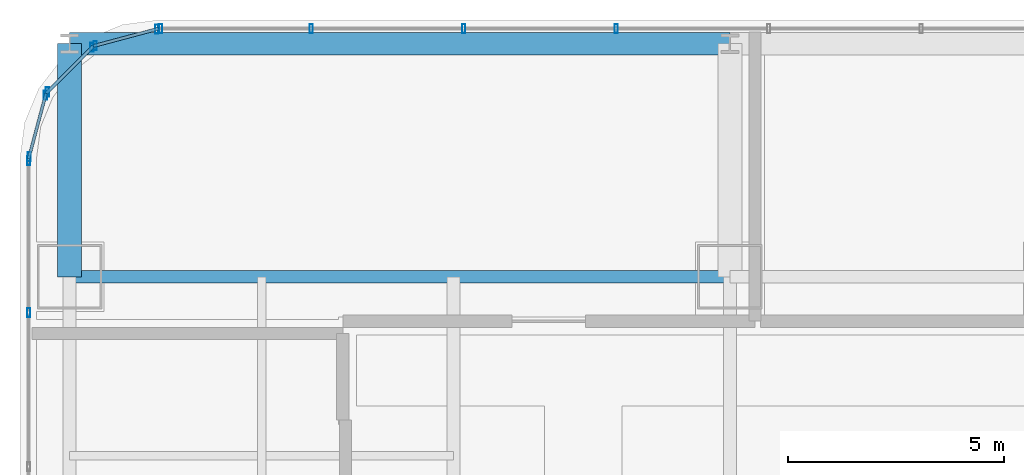
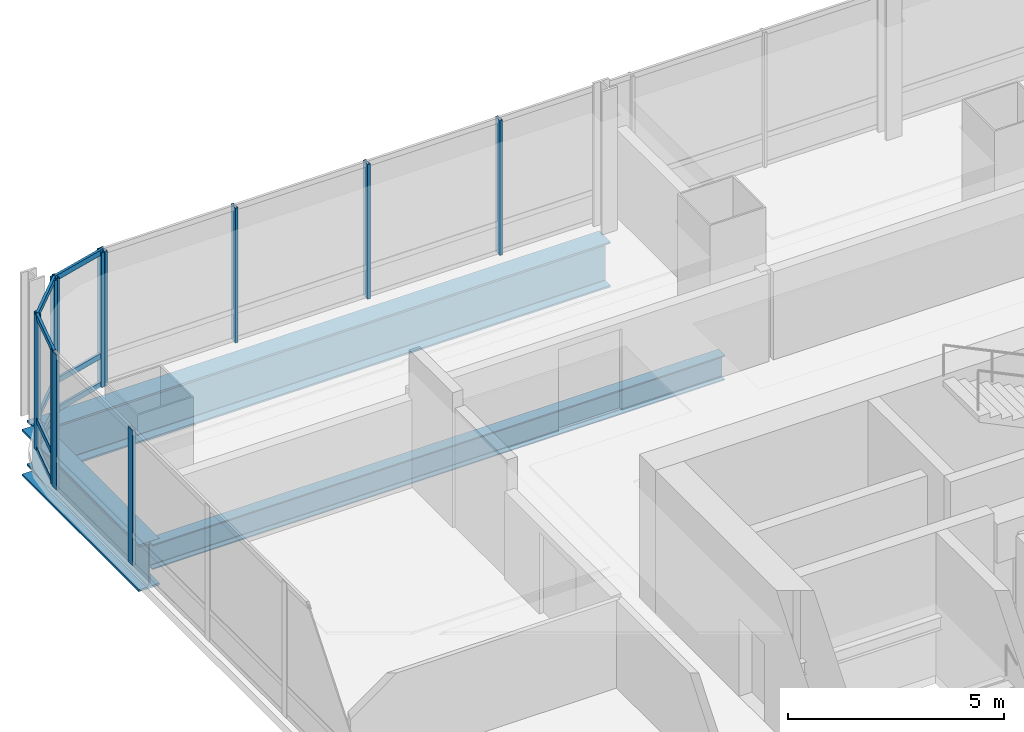
# One storey, part 19 of 34: 21 members, 3 beams, 5 elements without a shape of their own.
"""IFC4 building model written with IfcOpenShell, lengths in metres."""

from ifc_helpers import new_model, si_unit, direction, frame, origin, origin_2d, place, context, subcontext, project, spatial, hollow_rectangle, i_section, extrude, material, material_profile, profile_set, type_object, element, aggregate, save


model = new_model("IFC4")

# Units and contexts
model_context = context("Model", 3, precision=1e-05, world=origin(), true_north=direction((0.0, 1.0)))
body_context = subcontext(model_context, "Body", "Model", "MODEL_VIEW")
ifc_project = project(units=[si_unit("LENGTHUNIT", "METRE"), si_unit("AREAUNIT", "SQUARE_METRE"), si_unit("VOLUMEUNIT", "CUBIC_METRE"), si_unit("PLANEANGLEUNIT", "RADIAN"), si_unit("MASSUNIT", "GRAM", prefix="KILO")], contexts=[model_context])

# Site, building, storey
site_placement = place(None, origin())
site = spatial("IfcSite", under=ifc_project, at=site_placement, CompositionType="ELEMENT")
building_placement = place(site_placement, origin())
building = spatial("IfcBuilding", under=site, at=building_placement, Name="Punatoya Terracotta Tower", CompositionType="ELEMENT")
storey_placement = place(building_placement, frame((0.0, 0.0, 105.14990234375)))
storey = spatial("IfcBuildingStorey", under=building, at=storey_placement, Name="L24", CompositionType="ELEMENT", Elevation=105.14990234375)

# Beams
ifc_material_1 = material(Name="Steel S355", Category="steel")
ifc_material_profile_1 = material_profile(ifc_material_1, i_section(OverallWidth=0.300048828125, OverallDepth=0.699951171875, WebThickness=0.01708984375, FlangeThickness=0.031982421875, FilletRadius=0.01806640625, at=origin_2d()))
ifc_profile_set_1 = profile_set([ifc_material_profile_1], Name="Steel S355")
beam_type_1 = type_object("IfcBeamType", Name="BM-PRI-700", PredefinedType="BEAM", material=ifc_profile_set_1)
beam_1_placement = place(storey_placement, frame((-19.10009765625, 17.5, -0.58984375), z_axis=(1.0, 0.0, 0.0), x_axis=(0.0, 1.0, 0.0)))
element("IfcBeam", 1, at=beam_1_placement, inside=storey, type_object=beam_type_1, Name="BM-L24-RG-N1", PredefinedType="BEAM", context=body_context, shape_type="SweptSolid", body=[
    extrude(i_section(OverallWidth=0.300048828125, OverallDepth=0.699951171875, WebThickness=0.01708984375, FlangeThickness=0.031982421875, FilletRadius=0.01806640625, at=origin_2d()), origin(), (0.0, 0.0, 1.0), 15.300048828125),
])
ifc_material_2 = material(Name="Steel S460", Category="steel")
ifc_material_profile_2 = material_profile(ifc_material_2, i_section(OverallWidth=0.56005859375, OverallDepth=1.320068359375, WebThickness=0.035888671875, FlangeThickness=0.054931640625, FilletRadius=0.01806640625, at=origin_2d()))
ifc_profile_set_2 = profile_set([ifc_material_profile_2], Name="Steel S460")
beam_type_2 = type_object("IfcBeamType", Name="BM-TG-BLK", PredefinedType="BEAM", material=ifc_profile_set_2)
beam_2_placement = place(storey_placement, frame((-19.10009765625, 17.5, -0.89990234375), z_axis=(0.0, 1.0, 0.0), x_axis=(-1.0, 0.0, 0.0)))
element("IfcBeam", 2, at=beam_2_placement, inside=storey, type_object=beam_type_2, Name="BM-L24-CANT-N1", PredefinedType="BEAM", context=body_context, shape_type="SweptSolid", body=[
    extrude(i_section(OverallWidth=0.56005859375, OverallDepth=1.320068359375, WebThickness=0.035888671875, FlangeThickness=0.054931640625, FilletRadius=0.01806640625, at=origin_2d()), origin(), (0.0, 0.0, 1.0), 5.39990234375),
])
ifc_material_profile_3 = material_profile(ifc_material_2, i_section(OverallWidth=0.52001953125, OverallDepth=1.280029296875, WebThickness=0.031982421875, FlangeThickness=0.050048828125, FilletRadius=0.01806640625, at=origin_2d()))
ifc_profile_set_3 = profile_set([ifc_material_profile_3], Name="Steel S460")
beam_type_3 = type_object("IfcBeamType", Name="BM-TG-NCK", PredefinedType="BEAM", material=ifc_profile_set_3)
beam_3_placement = place(storey_placement, frame((-19.10009765625, 22.89990234375, -0.8798828125), z_axis=(1.0, 0.0, 0.0), x_axis=(0.0, 1.0, 0.0)))
element("IfcBeam", 3, at=beam_3_placement, inside=storey, type_object=beam_type_3, Name="BM-L24-PER-N1", PredefinedType="BEAM", context=body_context, shape_type="SweptSolid", body=[
    extrude(i_section(OverallWidth=0.52001953125, OverallDepth=1.280029296875, WebThickness=0.031982421875, FlangeThickness=0.050048828125, FilletRadius=0.01806640625, at=origin_2d()), origin(), (0.0, 0.0, 1.0), 15.300048828125),
])

# Curtain wall, members
ifc_material_3 = material(Name="Aluminium 6063-T6 + Double Low-E Glass", Category="aluminium")
curtain_wall_type = type_object("IfcCurtainWallType", Name="CW-M1", PredefinedType="NOTDEFINED", material=ifc_material_3)
curtain_wall_1_placement = place(storey_placement, origin())
curtain_wall_1 = element("IfcCurtainWall", 4, at=curtain_wall_1_placement, inside=storey, type_object=curtain_wall_type, Name="L24 Curtain Wall CW-L24-N09-1", PredefinedType="NOTDEFINED")
ifc_material_4 = material(Name="Aluminium 6063-T6", Category="aluminium")
ifc_material_profile_4 = material_profile(ifc_material_4, hollow_rectangle(XDim=0.074951171875, YDim=0.2099609375, WallThickness=0.00439453125, at=origin_2d()))
ifc_profile_set_4 = profile_set([ifc_material_profile_4], Name="Aluminium 6063-T6")
member_type_1 = type_object("IfcMemberType", Name="CW-MUL-M1", PredefinedType="MULLION", material=ifc_profile_set_4)
member_1_placement = place(storey_placement, frame((-6.43505859375, 23.25, 0.0), z_axis=(0.0, 0.0, 1.0), x_axis=(1.0, 0.0, 0.0)))
member_1 = element("IfcMember", 5, at=member_1_placement, type_object=member_type_1, Name="CW-L24-N09-1 Mullion 08", PredefinedType="MULLION", context=body_context, shape_type="SweptSolid", body=[
    extrude(hollow_rectangle(XDim=0.074951171875, YDim=0.2099609375, WallThickness=0.00439453125, at=origin_2d()), origin(), (0.0, 0.0, 1.0), 3.81005859375),
])
member_2_placement = place(storey_placement, frame((-9.968994140625, 23.25, 0.0), z_axis=(0.0, 0.0, 1.0), x_axis=(1.0, 0.0, 0.0)))
member_2 = element("IfcMember", 6, at=member_2_placement, type_object=member_type_1, Name="CW-L24-N09-1 Mullion 09", PredefinedType="MULLION", context=body_context, shape_type="SweptSolid", body=[
    extrude(hollow_rectangle(XDim=0.074951171875, YDim=0.2099609375, WallThickness=0.00439453125, at=origin_2d()), origin(), (0.0, 0.0, 1.0), 3.81005859375),
])
member_3_placement = place(storey_placement, frame((-13.5029296875, 23.25, 0.0), z_axis=(0.0, 0.0, 1.0), x_axis=(1.0, 0.0, 0.0)))
member_3 = element("IfcMember", 7, at=member_3_placement, type_object=member_type_1, Name="CW-L24-N09-1 Mullion 10", PredefinedType="MULLION", context=body_context, shape_type="SweptSolid", body=[
    extrude(hollow_rectangle(XDim=0.074951171875, YDim=0.2099609375, WallThickness=0.00439453125, at=origin_2d()), origin(), (0.0, 0.0, 1.0), 3.81005859375),
])
member_4_placement = place(storey_placement, frame((-16.991943359375, 23.25, 0.0), z_axis=(0.0, 0.0, 1.0), x_axis=(1.0, 0.0, 0.0)))
member_4 = element("IfcMember", 8, at=member_4_placement, type_object=member_type_1, Name="CW-L24-N09-1 Mullion 11", PredefinedType="MULLION", context=body_context, shape_type="SweptSolid", body=[
    extrude(hollow_rectangle(XDim=0.074951171875, YDim=0.2099609375, WallThickness=0.00439453125, at=origin_2d()), origin(), (0.0, 0.0, 1.0), 3.81005859375),
])
aggregate(curtain_wall_1, [member_1, member_2, member_3, member_4])

curtain_wall_2_placement = place(storey_placement, origin())
curtain_wall_2 = element("IfcCurtainWall", 9, at=curtain_wall_2_placement, inside=storey, type_object=curtain_wall_type, Name="L24 Curtain Wall CW-L24-CRN10", PredefinedType="NOTDEFINED")
member_5_placement = place(storey_placement, frame((-17.080322265625, 23.23828125, 0.0), z_axis=(0.0, 0.0, 1.0), x_axis=(1.0, 0.0, 0.0)))
member_5 = element("IfcMember", 10, at=member_5_placement, type_object=member_type_1, Name="CW-L24-CRN10 Mullion 00", PredefinedType="MULLION", context=body_context, shape_type="SweptSolid", body=[
    extrude(hollow_rectangle(XDim=0.074951171875, YDim=0.2099609375, WallThickness=0.00439453125, at=origin_2d()), origin(), (0.0, 0.0, 1.0), 3.81005859375),
])
member_6_placement = place(storey_placement, frame((-18.505615234375, 22.858154296875, 0.0), z_axis=(0.0, 0.0, 1.0), x_axis=(1.0, 0.0, 0.0)))
member_6 = element("IfcMember", 11, at=member_6_placement, type_object=member_type_1, Name="CW-L24-CRN10 Mullion 01", PredefinedType="MULLION", context=body_context, shape_type="SweptSolid", body=[
    extrude(hollow_rectangle(XDim=0.074951171875, YDim=0.2099609375, WallThickness=0.00439453125, at=origin_2d()), origin(), (0.0, 0.0, 1.0), 3.81005859375),
])

curtain_wall_3_placement = place(storey_placement, origin())
curtain_wall_3 = element("IfcCurtainWall", 12, at=curtain_wall_3_placement, inside=storey, type_object=curtain_wall_type, Name="L24 Curtain Wall CW-L24-CRN11", PredefinedType="NOTDEFINED")
member_7_placement = place(storey_placement, frame((-18.580810546875, 22.814697265625, 0.0), z_axis=(0.0, 0.0, 1.0), x_axis=(1.0, 0.0, 0.0)))
member_7 = element("IfcMember", 13, at=member_7_placement, type_object=member_type_1, Name="CW-L24-CRN11 Mullion 00", PredefinedType="MULLION", context=body_context, shape_type="SweptSolid", body=[
    extrude(hollow_rectangle(XDim=0.074951171875, YDim=0.2099609375, WallThickness=0.00439453125, at=origin_2d()), origin(), (0.0, 0.0, 1.0), 3.81005859375),
])
member_8_placement = place(storey_placement, frame((-19.61474609375, 21.781005859375, 0.0), z_axis=(0.0, 0.0, 1.0), x_axis=(1.0, 0.0, 0.0)))
member_8 = element("IfcMember", 14, at=member_8_placement, type_object=member_type_1, Name="CW-L24-CRN11 Mullion 01", PredefinedType="MULLION", context=body_context, shape_type="SweptSolid", body=[
    extrude(hollow_rectangle(XDim=0.074951171875, YDim=0.2099609375, WallThickness=0.00439453125, at=origin_2d()), origin(), (0.0, 0.0, 1.0), 3.81005859375),
])

curtain_wall_4_placement = place(storey_placement, origin())
curtain_wall_4 = element("IfcCurtainWall", 15, at=curtain_wall_4_placement, inside=storey, type_object=curtain_wall_type, Name="L24 Curtain Wall CW-L24-CRN12", PredefinedType="NOTDEFINED")
member_9_placement = place(storey_placement, frame((-19.658203125, 21.70556640625, 0.0), z_axis=(0.0, 0.0, 1.0), x_axis=(1.0, 0.0, 0.0)))
member_9 = element("IfcMember", 16, at=member_9_placement, type_object=member_type_1, Name="CW-L24-CRN12 Mullion 00", PredefinedType="MULLION", context=body_context, shape_type="SweptSolid", body=[
    extrude(hollow_rectangle(XDim=0.074951171875, YDim=0.2099609375, WallThickness=0.00439453125, at=origin_2d()), origin(), (0.0, 0.0, 1.0), 3.81005859375),
])
member_10_placement = place(storey_placement, frame((-20.038330078125, 20.280517578125, 0.0), z_axis=(0.0, 0.0, 1.0), x_axis=(1.0, 0.0, 0.0)))
member_10 = element("IfcMember", 17, at=member_10_placement, type_object=member_type_1, Name="CW-L24-CRN12 Mullion 01", PredefinedType="MULLION", context=body_context, shape_type="SweptSolid", body=[
    extrude(hollow_rectangle(XDim=0.074951171875, YDim=0.2099609375, WallThickness=0.00439453125, at=origin_2d()), origin(), (0.0, 0.0, 1.0), 3.81005859375),
])

curtain_wall_5_placement = place(storey_placement, origin())
curtain_wall_5 = element("IfcCurtainWall", 18, at=curtain_wall_5_placement, inside=storey, type_object=curtain_wall_type, Name="L24 Curtain Wall CW-L24-W13-1", PredefinedType="NOTDEFINED")
member_11_placement = place(storey_placement, frame((-20.050048828125, 20.19189453125, 0.0), z_axis=(0.0, 0.0, 1.0), x_axis=(1.0, 0.0, 0.0)))
member_11 = element("IfcMember", 19, at=member_11_placement, type_object=member_type_1, Name="CW-L24-W13-1 Mullion 00", PredefinedType="MULLION", context=body_context, shape_type="SweptSolid", body=[
    extrude(hollow_rectangle(XDim=0.074951171875, YDim=0.2099609375, WallThickness=0.00439453125, at=origin_2d()), origin(), (0.0, 0.0, 1.0), 3.81005859375),
])
member_12_placement = place(storey_placement, frame((-20.050048828125, 16.66943359375, 0.0), z_axis=(0.0, 0.0, 1.0), x_axis=(1.0, 0.0, 0.0)))
member_12 = element("IfcMember", 20, at=member_12_placement, type_object=member_type_1, Name="CW-L24-W13-1 Mullion 01", PredefinedType="MULLION", context=body_context, shape_type="SweptSolid", body=[
    extrude(hollow_rectangle(XDim=0.074951171875, YDim=0.2099609375, WallThickness=0.00439453125, at=origin_2d()), origin(), (0.0, 0.0, 1.0), 3.81005859375),
])
aggregate(curtain_wall_5, [member_11, member_12])

# Member
ifc_material_profile_5 = material_profile(ifc_material_4, hollow_rectangle(XDim=0.068115234375, YDim=0.14990234375, WallThickness=0.00390625, at=origin_2d()))
ifc_profile_set_5 = profile_set([ifc_material_profile_5], Name="Aluminium 6063-T6")
member_type_2 = type_object("IfcMemberType", Name="CW-TRN-TYP", PredefinedType="USERDEFINED", material=ifc_profile_set_5)
member_13_placement = place(storey_placement, frame((-17.036865234375, 23.25, 0.0400390625), z_axis=(-0.966224582397, -0.257701486942, 0.0), x_axis=(0.257701486942, -0.966224582397, 0.0)))
member_13 = element("IfcMember", 21, at=member_13_placement, type_object=member_type_2, Name="CW-L24-CRN10 Transom 1", ObjectType="TRANSOM", PredefinedType="USERDEFINED", context=body_context, shape_type="SweptSolid", body=[
    extrude(hollow_rectangle(XDim=0.068115234375, YDim=0.14990234375, WallThickness=0.00390625, at=origin_2d()), origin(), (0.0, 0.0, 1.0), 1.565185546875),
])

member_14_placement = place(storey_placement, frame((-17.036865234375, 23.25, 0.85009765625), z_axis=(-0.966224582397, -0.257701486942, 0.0), x_axis=(0.257701486942, -0.966224582397, 0.0)))
member_14 = element("IfcMember", 22, at=member_14_placement, type_object=member_type_2, Name="CW-L24-CRN10 Transom 2", ObjectType="TRANSOM", PredefinedType="USERDEFINED", context=body_context, shape_type="SweptSolid", body=[
    extrude(hollow_rectangle(XDim=0.068115234375, YDim=0.14990234375, WallThickness=0.00390625, at=origin_2d()), origin(), (0.0, 0.0, 1.0), 1.565185546875),
])

member_15_placement = place(storey_placement, frame((-17.036865234375, 23.25, 3.77001953125), z_axis=(-0.966224582397, -0.257701486942, 0.0), x_axis=(0.257701486942, -0.966224582397, 0.0)))
member_15 = element("IfcMember", 23, at=member_15_placement, type_object=member_type_2, Name="CW-L24-CRN10 Transom 3", ObjectType="TRANSOM", PredefinedType="USERDEFINED", context=body_context, shape_type="SweptSolid", body=[
    extrude(hollow_rectangle(XDim=0.068115234375, YDim=0.14990234375, WallThickness=0.00390625, at=origin_2d()), origin(), (0.0, 0.0, 1.0), 1.565185546875),
])

aggregate(curtain_wall_2, [member_5, member_6, member_13, member_14, member_15])

member_16_placement = place(storey_placement, frame((-18.549072265625, 22.8466796875, 0.0400390625), z_axis=(-0.707028130747, -0.707185422879, 0.0), x_axis=(0.707185422879, -0.707028130747, 0.0)))
member_16 = element("IfcMember", 24, at=member_16_placement, type_object=member_type_2, Name="CW-L24-CRN11 Transom 1", ObjectType="TRANSOM", PredefinedType="USERDEFINED", context=body_context, shape_type="SweptSolid", body=[
    extrude(hollow_rectangle(XDim=0.068115234375, YDim=0.14990234375, WallThickness=0.00390625, at=origin_2d()), origin(), (0.0, 0.0, 1.0), 1.55224609375),
])

member_17_placement = place(storey_placement, frame((-18.549072265625, 22.8466796875, 0.85009765625), z_axis=(-0.707028130747, -0.707185422879, 0.0), x_axis=(0.707185422879, -0.707028130747, 0.0)))
member_17 = element("IfcMember", 25, at=member_17_placement, type_object=member_type_2, Name="CW-L24-CRN11 Transom 2", ObjectType="TRANSOM", PredefinedType="USERDEFINED", context=body_context, shape_type="SweptSolid", body=[
    extrude(hollow_rectangle(XDim=0.068115234375, YDim=0.14990234375, WallThickness=0.00390625, at=origin_2d()), origin(), (0.0, 0.0, 1.0), 1.55224609375),
])

member_18_placement = place(storey_placement, frame((-18.549072265625, 22.8466796875, 3.77001953125), z_axis=(-0.707028130747, -0.707185422879, 0.0), x_axis=(0.707185422879, -0.707028130747, 0.0)))
member_18 = element("IfcMember", 26, at=member_18_placement, type_object=member_type_2, Name="CW-L24-CRN11 Transom 3", ObjectType="TRANSOM", PredefinedType="USERDEFINED", context=body_context, shape_type="SweptSolid", body=[
    extrude(hollow_rectangle(XDim=0.068115234375, YDim=0.14990234375, WallThickness=0.00390625, at=origin_2d()), origin(), (0.0, 0.0, 1.0), 1.55224609375),
])

aggregate(curtain_wall_3, [member_7, member_8, member_16, member_17, member_18])

member_19_placement = place(storey_placement, frame((-19.646484375, 21.7490234375, 0.0400390625), z_axis=(-0.257847112249, -0.966185730957, 0.0), x_axis=(0.966185730957, -0.257847112249, 0.0)))
member_19 = element("IfcMember", 27, at=member_19_placement, type_object=member_type_2, Name="CW-L24-CRN12 Transom 1", ObjectType="TRANSOM", PredefinedType="USERDEFINED", context=body_context, shape_type="SweptSolid", body=[
    extrude(hollow_rectangle(XDim=0.068115234375, YDim=0.14990234375, WallThickness=0.00390625, at=origin_2d()), origin(), (0.0, 0.0, 1.0), 1.565185546875),
])

member_20_placement = place(storey_placement, frame((-19.646484375, 21.7490234375, 0.85009765625), z_axis=(-0.257847112249, -0.966185730957, 0.0), x_axis=(0.966185730957, -0.257847112249, 0.0)))
member_20 = element("IfcMember", 28, at=member_20_placement, type_object=member_type_2, Name="CW-L24-CRN12 Transom 2", ObjectType="TRANSOM", PredefinedType="USERDEFINED", context=body_context, shape_type="SweptSolid", body=[
    extrude(hollow_rectangle(XDim=0.068115234375, YDim=0.14990234375, WallThickness=0.00390625, at=origin_2d()), origin(), (0.0, 0.0, 1.0), 1.565185546875),
])

member_21_placement = place(storey_placement, frame((-19.646484375, 21.7490234375, 3.77001953125), z_axis=(-0.257847112249, -0.966185730957, 0.0), x_axis=(0.966185730957, -0.257847112249, 0.0)))
member_21 = element("IfcMember", 29, at=member_21_placement, type_object=member_type_2, Name="CW-L24-CRN12 Transom 3", ObjectType="TRANSOM", PredefinedType="USERDEFINED", context=body_context, shape_type="SweptSolid", body=[
    extrude(hollow_rectangle(XDim=0.068115234375, YDim=0.14990234375, WallThickness=0.00390625, at=origin_2d()), origin(), (0.0, 0.0, 1.0), 1.565185546875),
])

aggregate(curtain_wall_4, [member_9, member_10, member_19, member_20, member_21])

save(model, "model.ifc")
